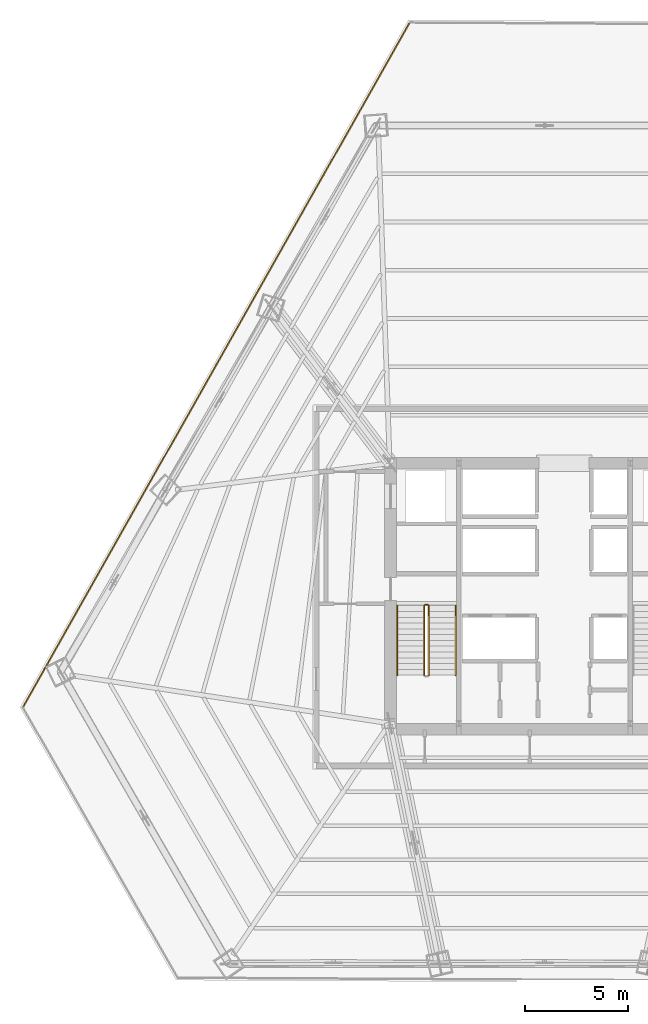
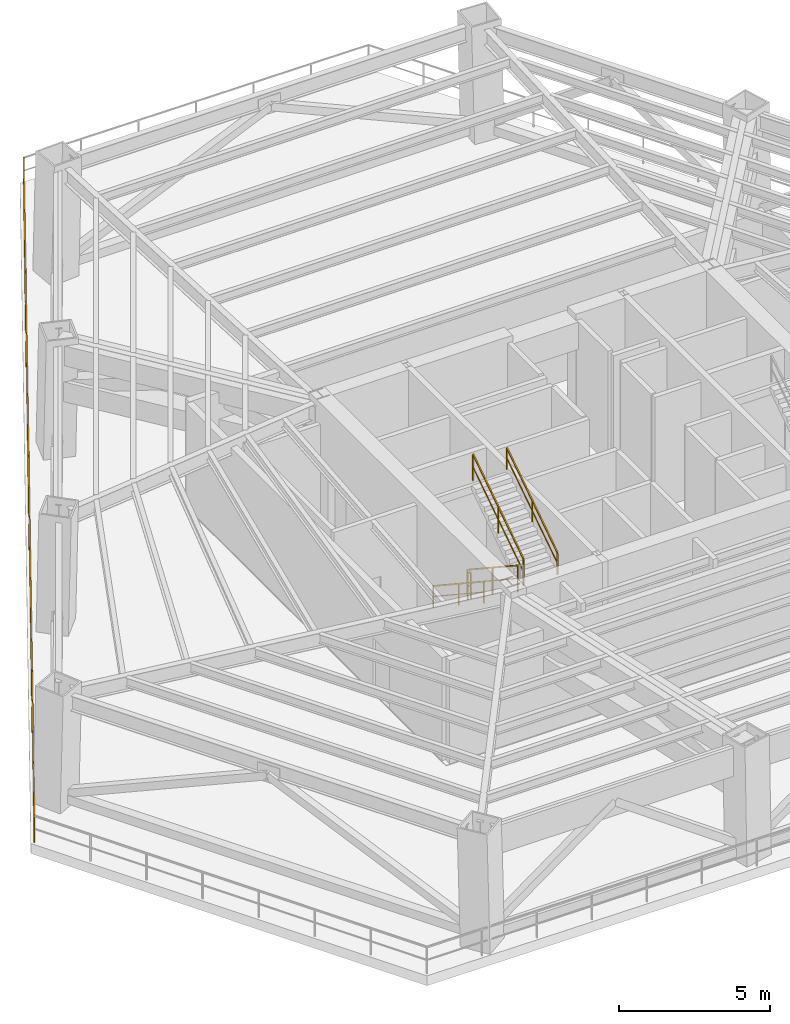
# One storey, part 11 of 13: 6 railings.
"""IFC4 building model written with IfcOpenShell, lengths in metres."""

from ifc_helpers import new_model, si_unit, direction, frame, origin, origin_2d, place, context, subcontext, project, spatial, rectangle, extrude, material, layer, layer_set, type_object, element, save


model = new_model("IFC4")

# Units and contexts
model_context = context("Model", 3, precision=1e-05, world=origin(), true_north=direction((0.0, 1.0)))
body_context = subcontext(model_context, "Body", "Model", "MODEL_VIEW")
ifc_project = project(units=[si_unit("LENGTHUNIT", "METRE"), si_unit("AREAUNIT", "SQUARE_METRE"), si_unit("VOLUMEUNIT", "CUBIC_METRE"), si_unit("PLANEANGLEUNIT", "RADIAN"), si_unit("MASSUNIT", "GRAM", prefix="KILO")], contexts=[model_context])

# Site, building, storey
site_placement = place(None, origin())
site = spatial("IfcSite", under=ifc_project, at=site_placement, CompositionType="ELEMENT")
building_placement = place(site_placement, origin())
building = spatial("IfcBuilding", under=site, at=building_placement, Name="Caelisora Broadcast Tower", CompositionType="ELEMENT")
storey_placement = place(building_placement, frame((0.0, 0.0, 75.050048828125)))
storey = spatial("IfcBuildingStorey", under=building, at=storey_placement, Name="L19", CompositionType="ELEMENT", Elevation=75.050048828125)

# Railings
ifc_material_1 = material(Name="Laminated Glass and Stainless Steel Terrace Balustrade", Category="steel")
ifc_layer_1 = layer(ifc_material_1, 0.048095703125, Name="Laminated Glass and Stainless Steel Terrace Balustrade")
ifc_layer_set_1 = layer_set([ifc_layer_1], Name="Laminated Glass and Stainless Steel Terrace Balustrade")
railing_type_1 = type_object("IfcRailingType", Name="BL-1", PredefinedType="BALUSTRADE", material=ifc_layer_set_1)
railing_1_placement = place(storey_placement, frame((12.73095703125, 18.179931640625, 0.0)))
element("IfcRailing", 1, at=railing_1_placement, inside=storey, type_object=railing_type_1, Name="L19 balustrade BL-1 #05", PredefinedType="BALUSTRADE", context=body_context, shape_type="SweptSolid", body=[
    extrude(rectangle(XDim=0.048095703125, YDim=0.048095703125, at=origin_2d()), frame((0.0, 0.0, 1.076171875), z_axis=(0.491877352073, 0.870664499402, 0.0), x_axis=(-0.870664499402, 0.491877352073, 0.0)), (0.0, 0.0, 1.0), 38.100830078125),
    extrude(rectangle(XDim=0.03125, YDim=0.03125, at=origin_2d()), frame((0.0, 0.0, 0.550048828125), z_axis=(0.491877352073, 0.870664499402, 0.0), x_axis=(-0.870664499402, 0.491877352073, 0.0)), (0.0, 0.0, 1.0), 38.100830078125),
    extrude(rectangle(XDim=0.0419921875, YDim=0.0419921875, at=origin_2d()), origin(), (0.0, 0.0, 1.0), 1.052001953125),
    extrude(rectangle(XDim=0.0419921875, YDim=0.0419921875, at=origin_2d()), frame((1.041259765625, 1.843017578125, 0.0)), (0.0, 0.0, 1.0), 1.052001953125),
    extrude(rectangle(XDim=0.0419921875, YDim=0.0419921875, at=origin_2d()), frame((2.082275390625, 3.685791015625, 0.0)), (0.0, 0.0, 1.0), 1.052001953125),
    extrude(rectangle(XDim=0.0419921875, YDim=0.0419921875, at=origin_2d()), frame((3.12353515625, 5.52880859375, 0.0)), (0.0, 0.0, 1.0), 1.052001953125),
    extrude(rectangle(XDim=0.0419921875, YDim=0.0419921875, at=origin_2d()), frame((4.16455078125, 7.371826171875, 0.0)), (0.0, 0.0, 1.0), 1.052001953125),
    extrude(rectangle(XDim=0.0419921875, YDim=0.0419921875, at=origin_2d()), frame((5.205810546875, 9.21484375, 0.0)), (0.0, 0.0, 1.0), 1.052001953125),
    extrude(rectangle(XDim=0.0419921875, YDim=0.0419921875, at=origin_2d()), frame((6.2470703125, 11.0576171875, 0.0)), (0.0, 0.0, 1.0), 1.052001953125),
    extrude(rectangle(XDim=0.0419921875, YDim=0.0419921875, at=origin_2d()), frame((7.2880859375, 12.900634765625, 0.0)), (0.0, 0.0, 1.0), 1.052001953125),
    extrude(rectangle(XDim=0.0419921875, YDim=0.0419921875, at=origin_2d()), frame((8.329345703125, 14.74365234375, 0.0)), (0.0, 0.0, 1.0), 1.052001953125),
    extrude(rectangle(XDim=0.0419921875, YDim=0.0419921875, at=origin_2d()), frame((9.37060546875, 16.58642578125, 0.0)), (0.0, 0.0, 1.0), 1.052001953125),
    extrude(rectangle(XDim=0.0419921875, YDim=0.0419921875, at=origin_2d()), frame((10.41162109375, 18.429443359375, 0.0)), (0.0, 0.0, 1.0), 1.052001953125),
    extrude(rectangle(XDim=0.0419921875, YDim=0.0419921875, at=origin_2d()), frame((11.452880859375, 20.2724609375, 0.0)), (0.0, 0.0, 1.0), 1.052001953125),
    extrude(rectangle(XDim=0.0419921875, YDim=0.0419921875, at=origin_2d()), frame((12.493896484375, 22.115478515625, 0.0)), (0.0, 0.0, 1.0), 1.052001953125),
    extrude(rectangle(XDim=0.0419921875, YDim=0.0419921875, at=origin_2d()), frame((13.53515625, 23.958251953125, 0.0)), (0.0, 0.0, 1.0), 1.052001953125),
    extrude(rectangle(XDim=0.0419921875, YDim=0.0419921875, at=origin_2d()), frame((14.576416015625, 25.80126953125, 0.0)), (0.0, 0.0, 1.0), 1.052001953125),
    extrude(rectangle(XDim=0.0419921875, YDim=0.0419921875, at=origin_2d()), frame((15.617431640625, 27.644287109375, 0.0)), (0.0, 0.0, 1.0), 1.052001953125),
    extrude(rectangle(XDim=0.0419921875, YDim=0.0419921875, at=origin_2d()), frame((16.65869140625, 29.4873046875, 0.0)), (0.0, 0.0, 1.0), 1.052001953125),
    extrude(rectangle(XDim=0.0419921875, YDim=0.0419921875, at=origin_2d()), frame((17.69970703125, 31.330078125, 0.0)), (0.0, 0.0, 1.0), 1.052001953125),
    extrude(rectangle(XDim=0.0419921875, YDim=0.0419921875, at=origin_2d()), frame((18.740966796875, 33.173095703125, 0.0)), (0.0, 0.0, 1.0), 1.052001953125),
])
ifc_material_2 = material(Name="Galvanised Steel Safety Guardrail", Category="steel")
ifc_layer_2 = layer(ifc_material_2, 0.048095703125, Name="Galvanised Steel Safety Guardrail")
ifc_layer_set_2 = layer_set([ifc_layer_2], Name="Galvanised Steel Safety Guardrail")
railing_type_2 = type_object("IfcRailingType", Name="GR-1", PredefinedType="GUARDRAIL", material=ifc_layer_set_2)
railing_2_placement = place(storey_placement, frame((32.169921875, 23.10009765625, 0.1845703125)))
element("IfcRailing", 2, at=railing_2_placement, inside=storey, type_object=railing_type_2, Name="L19 ST-1 stair guard 1", PredefinedType="GUARDRAIL", context=body_context, shape_type="SweptSolid", body=[
    extrude(rectangle(XDim=0.048095703125, YDim=0.048095703125, at=origin_2d()), frame((0.0, 0.0, 1.076171875), z_axis=(0.0, -0.834876476806, 0.550437342915), x_axis=(1.0, 0.0, 0.0)), (0.0, 0.0, 1.0), 4.024658203125),
    extrude(rectangle(XDim=0.03125, YDim=0.03125, at=origin_2d()), frame((0.0, 0.0, 0.550048828125), z_axis=(0.0, -0.834876476806, 0.550437342915), x_axis=(1.0, 0.0, 0.0)), (0.0, 0.0, 1.0), 4.024658203125),
    extrude(rectangle(XDim=0.0419921875, YDim=0.0419921875, at=origin_2d()), origin(), (0.0, 0.0, 1.0), 1.052001953125),
    extrude(rectangle(XDim=0.0419921875, YDim=0.0419921875, at=origin_2d()), frame((0.0, -1.68017578125, 1.107666015625)), (0.0, 0.0, 1.0), 1.052001953125),
    extrude(rectangle(XDim=0.0419921875, YDim=0.0419921875, at=origin_2d()), frame((0.0, -3.360107421875, 2.21533203125)), (0.0, 0.0, 1.0), 1.052001953125),
])
railing_3_placement = place(storey_placement, frame((32.389892578125, 19.739990234375, 2.58447265625)))
element("IfcRailing", 3, at=railing_3_placement, inside=storey, type_object=railing_type_2, Name="L19 ST-1 stair guard 3", PredefinedType="GUARDRAIL", context=body_context, shape_type="SweptSolid", body=[
    extrude(rectangle(XDim=0.048095703125, YDim=0.048095703125, at=origin_2d()), frame((0.0, 0.0, 1.076171875), z_axis=(0.0, 0.834848600103, 0.550479622607), x_axis=(-1.0, 0.0, 0.0)), (0.0, 0.0, 1.0), 4.02490234375),
    extrude(rectangle(XDim=0.03125, YDim=0.03125, at=origin_2d()), frame((0.0, 0.0, 0.550048828125), z_axis=(0.0, 0.834848600103, 0.550479622607), x_axis=(-1.0, 0.0, 0.0)), (0.0, 0.0, 1.0), 4.02490234375),
    extrude(rectangle(XDim=0.0419921875, YDim=0.0419921875, at=origin_2d()), origin(), (0.0, 0.0, 1.0), 1.052001953125),
    extrude(rectangle(XDim=0.0419921875, YDim=0.0419921875, at=origin_2d()), frame((0.0, 1.68017578125, 1.10791015625)), (0.0, 0.0, 1.0), 1.052001953125),
    extrude(rectangle(XDim=0.0419921875, YDim=0.0419921875, at=origin_2d()), frame((0.0, 3.360107421875, 2.215576171875)), (0.0, 0.0, 1.0), 1.052001953125),
])
railing_4_placement = place(storey_placement, frame((32.219970703125, 23.14990234375, 0.0)))
element("IfcRailing", 4, at=railing_4_placement, inside=storey, type_object=railing_type_2, Name="L19 ST-1 stair guard 4", PredefinedType="GUARDRAIL", context=body_context, shape_type="SweptSolid", body=[
    extrude(rectangle(XDim=0.048095703125, YDim=0.048095703125, at=origin_2d()), frame((0.0, 0.0, 1.076171875), z_axis=(1.0, 0.0, 0.0), x_axis=(0.0, 1.0, 0.0)), (0.0, 0.0, 1.0), 0.1201171875),
    extrude(rectangle(XDim=0.03125, YDim=0.03125, at=origin_2d()), frame((0.0, 0.0, 0.550048828125), z_axis=(1.0, 0.0, 0.0), x_axis=(0.0, 1.0, 0.0)), (0.0, 0.0, 1.0), 0.1201171875),
    extrude(rectangle(XDim=0.0419921875, YDim=0.0419921875, at=origin_2d()), origin(), (0.0, 0.0, 1.0), 1.052001953125),
    extrude(rectangle(XDim=0.0419921875, YDim=0.0419921875, at=origin_2d()), frame((0.1201171875, 0.0, 0.0)), (0.0, 0.0, 1.0), 1.052001953125),
])
ifc_material_3 = material(Name="Stainless Steel Grade 316 Tubular Handrail", Category="steel")
ifc_layer_3 = layer(ifc_material_3, 0.048095703125, Name="Stainless Steel Grade 316 Tubular Handrail")
ifc_layer_set_3 = layer_set([ifc_layer_3], Name="Stainless Steel Grade 316 Tubular Handrail")
railing_type_3 = type_object("IfcRailingType", Name="HR-1", PredefinedType="HANDRAIL", material=ifc_layer_set_3)
railing_5_placement = place(storey_placement, frame((30.8701171875, 23.10009765625, 0.1845703125)))
element("IfcRailing", 5, at=railing_5_placement, inside=storey, type_object=railing_type_3, Name="L19 ST-1 stair handrail 1", PredefinedType="HANDRAIL", context=body_context, shape_type="SweptSolid", body=[
    extrude(rectangle(XDim=0.048095703125, YDim=0.048095703125, at=origin_2d()), frame((0.0, 0.0, 0.8759765625), z_axis=(0.0, -0.834876476806, 0.550437342915), x_axis=(1.0, 0.0, 0.0)), (0.0, 0.0, 1.0), 4.024658203125),
    extrude(rectangle(XDim=0.03125, YDim=0.03125, at=origin_2d()), frame((0.0, 0.0, 0.449951171875), z_axis=(0.0, -0.834876476806, 0.550437342915), x_axis=(1.0, 0.0, 0.0)), (0.0, 0.0, 1.0), 4.024658203125),
    extrude(rectangle(XDim=0.0419921875, YDim=0.0419921875, at=origin_2d()), origin(), (0.0, 0.0, 1.0), 0.851806640625),
    extrude(rectangle(XDim=0.0419921875, YDim=0.0419921875, at=origin_2d()), frame((0.0, -1.68017578125, 1.107666015625)), (0.0, 0.0, 1.0), 0.851806640625),
    extrude(rectangle(XDim=0.0419921875, YDim=0.0419921875, at=origin_2d()), frame((0.0, -3.360107421875, 2.21533203125)), (0.0, 0.0, 1.0), 0.851806640625),
])
railing_6_placement = place(storey_placement, frame((33.68994140625, 19.739990234375, 2.58447265625)))
element("IfcRailing", 6, at=railing_6_placement, inside=storey, type_object=railing_type_3, Name="L19 ST-1 stair handrail 2", PredefinedType="HANDRAIL", context=body_context, shape_type="SweptSolid", body=[
    extrude(rectangle(XDim=0.048095703125, YDim=0.048095703125, at=origin_2d()), frame((0.0, 0.0, 0.8759765625), z_axis=(0.0, 0.834848600103, 0.550479622607), x_axis=(-1.0, 0.0, 0.0)), (0.0, 0.0, 1.0), 4.02490234375),
    extrude(rectangle(XDim=0.03125, YDim=0.03125, at=origin_2d()), frame((0.0, 0.0, 0.449951171875), z_axis=(0.0, 0.834848600103, 0.550479622607), x_axis=(-1.0, 0.0, 0.0)), (0.0, 0.0, 1.0), 4.02490234375),
    extrude(rectangle(XDim=0.0419921875, YDim=0.0419921875, at=origin_2d()), origin(), (0.0, 0.0, 1.0), 0.851806640625),
    extrude(rectangle(XDim=0.0419921875, YDim=0.0419921875, at=origin_2d()), frame((0.0, 1.68017578125, 1.10791015625)), (0.0, 0.0, 1.0), 0.851806640625),
    extrude(rectangle(XDim=0.0419921875, YDim=0.0419921875, at=origin_2d()), frame((0.0, 3.360107421875, 2.215576171875)), (0.0, 0.0, 1.0), 0.851806640625),
])

save(model, "model.ifc")
